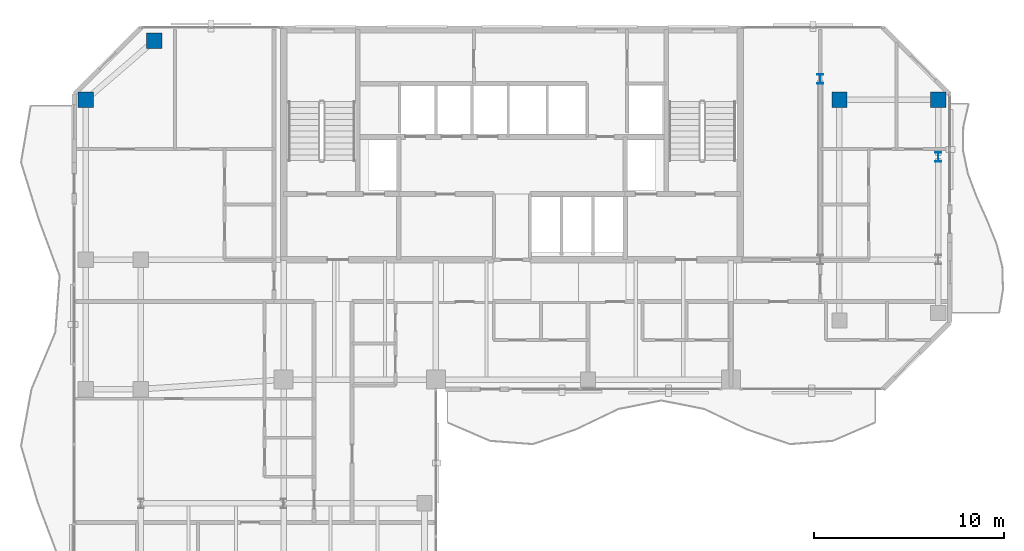
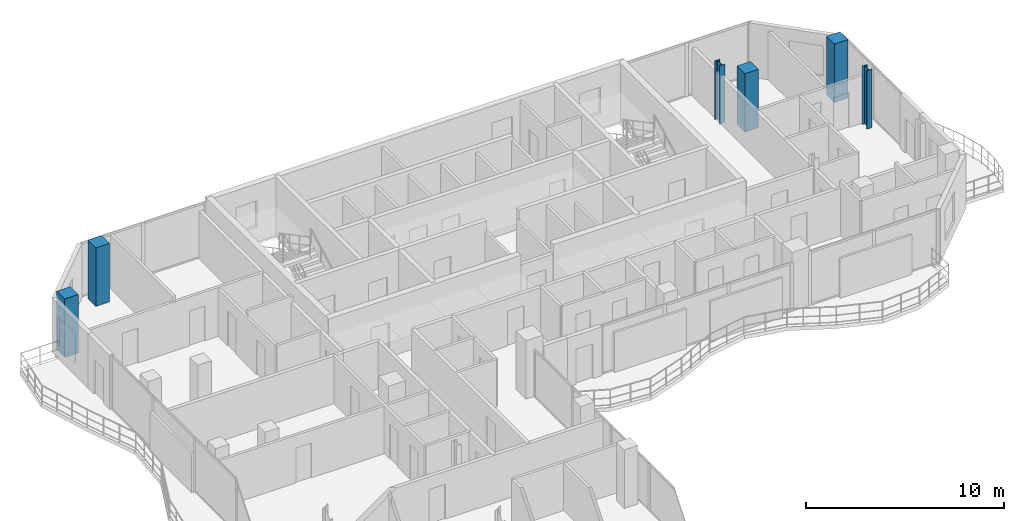
# One storey, part 2 of 24: 6 columns.
"""IFC4 building model written with IfcOpenShell, lengths in metres."""

from ifc_helpers import new_model, si_unit, direction, frame, origin, origin_2d, place, context, subcontext, project, spatial, rectangle, i_section, extrude, material, material_profile, profile_set, type_object, element, save


model = new_model("IFC4")

# Units and contexts
model_context = context("Model", 3, precision=1e-05, world=origin(), true_north=direction((0.0, 1.0)))
body_context = subcontext(model_context, "Body", "Model", "MODEL_VIEW")
ifc_project = project(units=[si_unit("LENGTHUNIT", "METRE"), si_unit("AREAUNIT", "SQUARE_METRE"), si_unit("VOLUMEUNIT", "CUBIC_METRE"), si_unit("PLANEANGLEUNIT", "RADIAN"), si_unit("MASSUNIT", "GRAM", prefix="KILO")], contexts=[model_context])

# Site, building, storey
site_placement = place(None, origin())
site = spatial("IfcSite", under=ifc_project, at=site_placement, CompositionType="ELEMENT")
building_placement = place(site_placement, origin())
building = spatial("IfcBuilding", under=site, at=building_placement, Name="Catumbela Crestline Tower", CompositionType="ELEMENT")
storey_placement = place(building_placement, frame((0.0, 0.0, 154.2)))
storey = spatial("IfcBuildingStorey", under=building, at=storey_placement, Name="L39", CompositionType="ELEMENT", Elevation=154.2)

# Columns
ifc_material_1 = material(Name="Concrete C50/60", Category="concrete")
ifc_material_profile_1 = material_profile(ifc_material_1, rectangle(XDim=0.8, YDim=0.8, at=origin_2d()), Name="RC 800x800")
ifc_profile_set_1 = profile_set([ifc_material_profile_1], Name="Concrete C50/60")
column_type_1 = type_object("IfcColumnType", Name="C-RC800-C50", PredefinedType="COLUMN", material=ifc_profile_set_1)
for number, where, z_axis, x_axis, name in (
    (1, (5.6, 39.2, 0.0), (0.0, 0.0, 1.0), (1.0, 0.0, 0.0), "L39 Column C-05-43 (RC 800x800)"),
    (2, (9.2, 42.3, 0.0), (0.0, 0.0, 1.0), (1.0, 0.0, 0.0), "L39 Column C-08-43 (RC 800x800)"),
    (3, (45.2, 39.2, 0.0), (0.0, 0.0, 1.0), (1.0, 0.0, 0.0), "L39 Column C-46-43 (RC 800x800)"),
    (4, (50.4, 39.2, 0.0), (0.0, 0.0, 1.0), (1.0, 0.0, 0.0), "L39 Column C-51-43 (RC 800x800)"),
):
    element("IfcColumn", number, at=place(storey_placement, frame(where, z_axis=z_axis, x_axis=x_axis)), inside=storey, type_object=column_type_1, Name=name, PredefinedType="COLUMN", context=body_context, shape_type="SweptSolid", body=[
        extrude(rectangle(XDim=0.8, YDim=0.8, at=origin_2d()), origin(), (0.0, 0.0, 1.0), 3.6),
    ])
ifc_material_2 = material(Name="Structural steel S355J2", Category="steel")
ifc_material_profile_2 = material_profile(ifc_material_2, i_section(OverallWidth=0.3, OverallDepth=0.5, WebThickness=0.0145, FlangeThickness=0.028, FilletRadius=0.027, at=origin_2d()), Name="HEB 500")
ifc_profile_set_2 = profile_set([ifc_material_profile_2], Name="Structural steel S355J2")
column_type_2 = type_object("IfcColumnType", Name="C-ST-HEB500", PredefinedType="COLUMN", material=ifc_profile_set_2)
for number, where, z_axis, x_axis, name in (
    (5, (44.2, 40.3, 0.0), (0.0, 0.0, 1.0), (1.0, 0.0, 0.0), "L39 Column CT-46-37 (HEB 500)"),
    (6, (50.4, 36.2, 0.0), (0.0, 0.0, 1.0), (1.0, 0.0, 0.0), "L39 Column CT-51-37 (HEB 500)"),
):
    element("IfcColumn", number, at=place(storey_placement, frame(where, z_axis=z_axis, x_axis=x_axis)), inside=storey, type_object=column_type_2, Name=name, PredefinedType="COLUMN", context=body_context, shape_type="SweptSolid", body=[
        extrude(i_section(OverallWidth=0.3, OverallDepth=0.5, WebThickness=0.0145, FlangeThickness=0.028, FilletRadius=0.027, at=origin_2d()), origin(), (0.0, 0.0, 1.0), 3.6),
    ])

save(model, "model.ifc")
